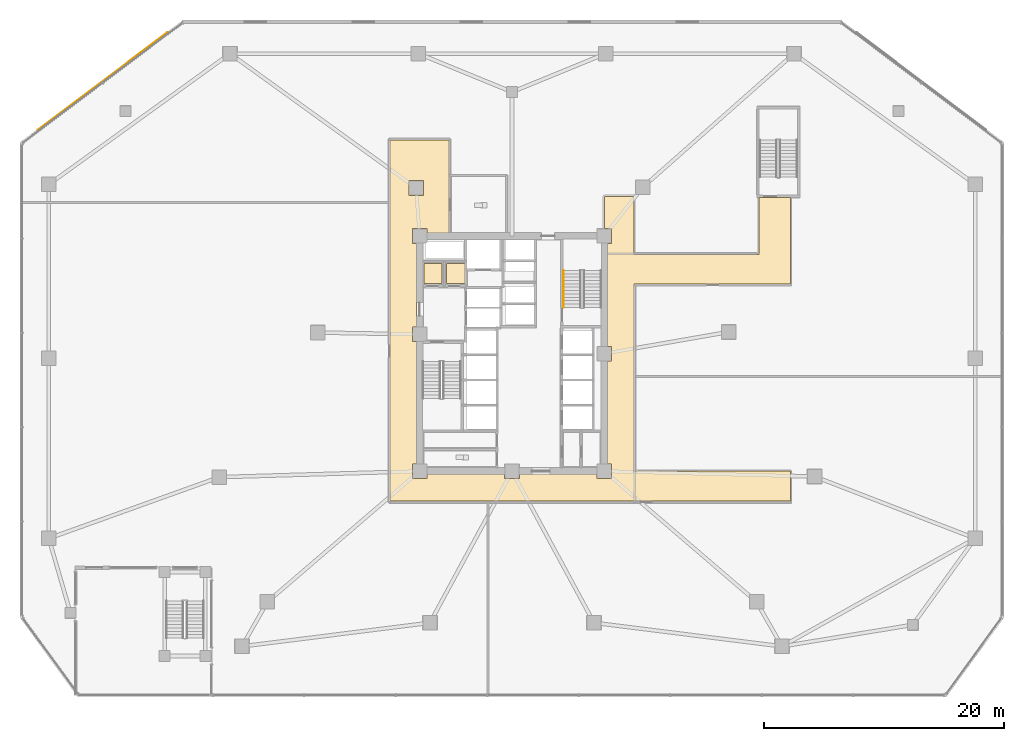
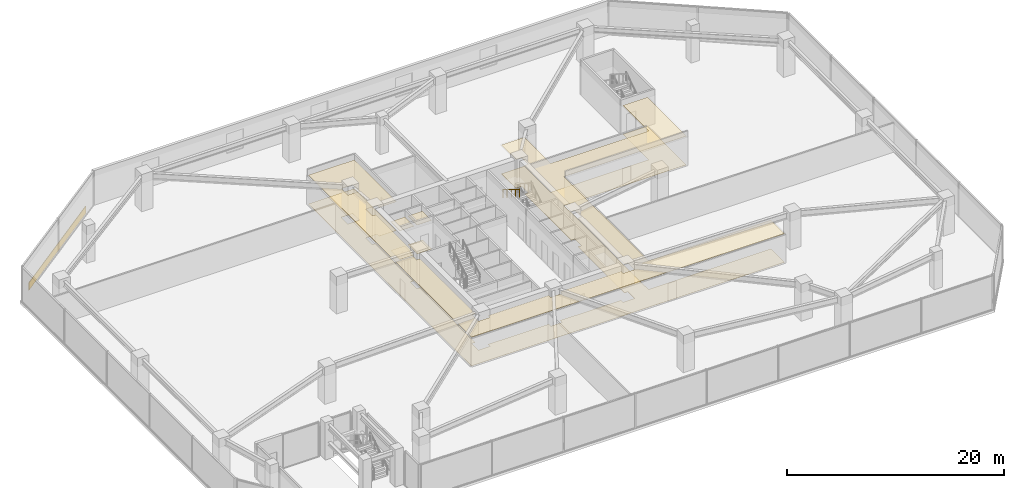
# One storey, part 17 of 21: 7 coverings, 1 railing.
"""IFC4 building model written with IfcOpenShell, lengths in metres."""

from ifc_helpers import new_model, si_unit, direction, frame, origin, origin_2d, place, context, subcontext, project, spatial, polyline, rectangle, circle, outline, extrude, material, layer, layer_set, type_object, element, save


model = new_model("IFC4")

# Units and contexts
model_context = context("Model", 3, precision=1e-05, world=origin(), true_north=direction((0.0, 1.0)))
body_context = subcontext(model_context, "Body", "Model", "MODEL_VIEW")
ifc_project = project(units=[si_unit("LENGTHUNIT", "METRE"), si_unit("AREAUNIT", "SQUARE_METRE"), si_unit("VOLUMEUNIT", "CUBIC_METRE"), si_unit("PLANEANGLEUNIT", "RADIAN"), si_unit("MASSUNIT", "GRAM", prefix="KILO")], contexts=[model_context])

# Site, building, storey
site_placement = place(None, origin())
site = spatial("IfcSite", under=ifc_project, at=site_placement, CompositionType="ELEMENT")
building_placement = place(site_placement, origin())
building = spatial("IfcBuilding", under=site, at=building_placement, Name="Savorim Split Tower", CompositionType="ELEMENT")
storey_placement = place(building_placement, frame((0.0, 0.0, 5.0)))
storey = spatial("IfcBuildingStorey", under=building, at=storey_placement, Name="L01", CompositionType="ELEMENT", Elevation=5.0)

# Coverings
ifc_material_1 = material(Name="Mineral Fibre Acoustic Ceiling")
ifc_layer_1 = layer(ifc_material_1, 0.02490234375)
ifc_layer_set_1 = layer_set([ifc_layer_1], Name="COV-CEIL-25")
covering_type_1 = type_object("IfcCoveringType", Name="COV-CEIL-25", PredefinedType="CEILING", material=ifc_layer_set_1)
covering_1_placement = place(storey_placement, frame((0.0, 0.0, 3.239990234375)))
element("IfcCovering", 1, at=covering_1_placement, inside=storey, type_object=covering_type_1, Name="L01 Electrical Riser Acoustic Ceiling", PredefinedType="CEILING", context=body_context, shape_type="SweptSolid", body=[
    extrude(outline(polyline([(-7.320068359375, 7.919921875), (-7.320068359375, 6.22998046875), (-5.830078125, 6.22998046875), (-5.830078125, 7.919921875), (-7.320068359375, 7.919921875)])), origin(), (0.0, 0.0, 1.0), 0.02490234375),
])
covering_2_placement = place(storey_placement, frame((0.0, 0.0, 3.239990234375)))
element("IfcCovering", 2, at=covering_2_placement, inside=storey, type_object=covering_type_1, Name="L01 Telecom Riser Acoustic Ceiling", PredefinedType="CEILING", context=body_context, shape_type="SweptSolid", body=[
    extrude(outline(polyline([(-5.469970703125, 7.919921875), (-5.469970703125, 6.22998046875), (-3.929931640625, 6.22998046875), (-3.929931640625, 7.919921875), (-5.469970703125, 7.919921875)])), origin(), (0.0, 0.0, 1.0), 0.02490234375),
])
covering_3_placement = place(storey_placement, frame((0.0, 0.0, 3.239990234375)))
element("IfcCovering", 3, at=covering_3_placement, inside=storey, type_object=covering_type_1, Name="L01 Corridor Acoustic Ceiling", PredefinedType="CEILING", context=body_context, shape_type="SweptSolid", body=[
    extrude(outline(polyline([(-7.699951171875, 18.199951171875), (-10.14990234375, 18.199951171875), (-10.14990234375, -9.39990234375), (-10.14990234375, -11.89990234375), (-7.699951171875, -11.89990234375), (7.699951171875, -11.89990234375), (10.14990234375, -11.89990234375), (23.199951171875, -11.89990234375), (23.199951171875, -9.39990234375), (10.14990234375, -9.39990234375), (10.14990234375, 6.199951171875), (23.199951171875, 6.199951171875), (23.199951171875, 8.64990234375), (23.199951171875, 13.39990234375), (20.60009765625, 13.39990234375), (20.60009765625, 8.64990234375), (10.14990234375, 8.64990234375), (10.14990234375, 13.5), (7.699951171875, 13.5), (7.699951171875, 10.81005859375), (8.31005859375, 10.81005859375), (8.31005859375, 9.590087890625), (7.949951171875, 9.590087890625), (7.949951171875, 1.010009765625), (8.31005859375, 1.010009765625), (8.31005859375, -0.2099609375), (7.949951171875, -0.2099609375), (7.949951171875, -8.7900390625), (8.31005859375, -8.7900390625), (8.31005859375, -10.010009765625), (7.090087890625, -10.010009765625), (7.090087890625, -9.64990234375), (0.610107421875, -9.64990234375), (0.610107421875, -10.010009765625), (-0.610107421875, -10.010009765625), (-0.610107421875, -9.64990234375), (-7.090087890625, -9.64990234375), (-7.090087890625, -10.010009765625), (-8.31005859375, -10.010009765625), (-8.31005859375, -8.7900390625), (-7.949951171875, -8.7900390625), (-7.949951171875, 1.389892578125), (-8.31005859375, 1.389892578125), (-8.31005859375, 2.610107421875), (-7.949951171875, 2.610107421875), (-7.949951171875, 9.590087890625), (-8.31005859375, 9.590087890625), (-8.31005859375, 10.81005859375), (-7.090087890625, 10.81005859375), (-7.090087890625, 10.449951171875), (-5.25, 10.449951171875), (-5.25, 18.199951171875), (-7.699951171875, 18.199951171875)]), holes=[polyline([(-8.6025390625, 13.591796875), (-7.382568359375, 13.591796875), (-7.382568359375, 14.811767578125), (-8.6025390625, 14.811767578125), (-8.6025390625, 13.591796875)])]), origin(), (0.0, 0.0, 1.0), 0.02490234375),
])
ifc_material_2 = material(Name="Terracotta Ceramic-Coated Aluminium Fin", Category="masonry")
ifc_layer_2 = layer(ifc_material_2, 0.050048828125)
ifc_layer_set_2 = layer_set([ifc_layer_2], Name="COV-CLAD-TERRA")
covering_type_2 = type_object("IfcCoveringType", Name="COV-CLAD-TERRA", PredefinedType="CLADDING", material=ifc_layer_set_2)
covering_4_placement = place(storey_placement, frame((-34.10009765625, 23.10009765625, 0.02490234375), z_axis=(0.0, 0.0, 1.0), x_axis=(0.798635510047, 0.601815023152, 0.0)))
element("IfcCovering", 4, at=covering_4_placement, inside=storey, type_object=covering_type_2, Name="L01 NW Podium Spandrel Cladding", PredefinedType="CLADDING", context=body_context, shape_type="SweptSolid", body=[
    extrude(rectangle(XDim=13.5, YDim=0.050048828125, at=origin_2d()), origin(), (0.0, 0.0, 1.0), 0.85009765625),
])
ifc_material_3 = material(Name="Porcelain Stoneware Flooring", Category="masonry")
ifc_layer_3 = layer(ifc_material_3, 0.02001953125)
ifc_layer_set_3 = layer_set([ifc_layer_3], Name="COV-FLOR-20")
covering_type_3 = type_object("IfcCoveringType", Name="COV-FLOR-20", PredefinedType="FLOORING", material=ifc_layer_set_3)
covering_5_placement = place(storey_placement, origin())
element("IfcCovering", 5, at=covering_5_placement, inside=storey, type_object=covering_type_3, Name="L01 Electrical Riser Porcelain Flooring", PredefinedType="FLOORING", context=body_context, shape_type="SweptSolid", body=[
    extrude(outline(polyline([(-7.320068359375, 7.919921875), (-7.320068359375, 6.22998046875), (-5.830078125, 6.22998046875), (-5.830078125, 7.919921875), (-7.320068359375, 7.919921875)])), origin(), (0.0, 0.0, 1.0), 0.02001953125),
])
covering_6_placement = place(storey_placement, origin())
element("IfcCovering", 6, at=covering_6_placement, inside=storey, type_object=covering_type_3, Name="L01 Telecom Riser Porcelain Flooring", PredefinedType="FLOORING", context=body_context, shape_type="SweptSolid", body=[
    extrude(outline(polyline([(-5.469970703125, 7.919921875), (-5.469970703125, 6.22998046875), (-3.929931640625, 6.22998046875), (-3.929931640625, 7.919921875), (-5.469970703125, 7.919921875)])), origin(), (0.0, 0.0, 1.0), 0.02001953125),
])
covering_7_placement = place(storey_placement, origin())
element("IfcCovering", 7, at=covering_7_placement, inside=storey, type_object=covering_type_3, Name="L01 Corridor Porcelain Flooring", PredefinedType="FLOORING", context=body_context, shape_type="SweptSolid", body=[
    extrude(outline(polyline([(-7.699951171875, 18.199951171875), (-10.14990234375, 18.199951171875), (-10.14990234375, -9.39990234375), (-10.14990234375, -11.89990234375), (-7.699951171875, -11.89990234375), (7.699951171875, -11.89990234375), (10.14990234375, -11.89990234375), (23.199951171875, -11.89990234375), (23.199951171875, -9.39990234375), (10.14990234375, -9.39990234375), (10.14990234375, 6.199951171875), (23.199951171875, 6.199951171875), (23.199951171875, 8.64990234375), (23.199951171875, 13.39990234375), (20.60009765625, 13.39990234375), (20.60009765625, 8.64990234375), (10.14990234375, 8.64990234375), (10.14990234375, 13.5), (7.699951171875, 13.5), (7.699951171875, 10.81005859375), (8.31005859375, 10.81005859375), (8.31005859375, 9.590087890625), (7.949951171875, 9.590087890625), (7.949951171875, 1.010009765625), (8.31005859375, 1.010009765625), (8.31005859375, -0.2099609375), (7.949951171875, -0.2099609375), (7.949951171875, -8.7900390625), (8.31005859375, -8.7900390625), (8.31005859375, -10.010009765625), (7.090087890625, -10.010009765625), (7.090087890625, -9.64990234375), (0.610107421875, -9.64990234375), (0.610107421875, -10.010009765625), (-0.610107421875, -10.010009765625), (-0.610107421875, -9.64990234375), (-7.090087890625, -9.64990234375), (-7.090087890625, -10.010009765625), (-8.31005859375, -10.010009765625), (-8.31005859375, -8.7900390625), (-7.949951171875, -8.7900390625), (-7.949951171875, 1.389892578125), (-8.31005859375, 1.389892578125), (-8.31005859375, 2.610107421875), (-7.949951171875, 2.610107421875), (-7.949951171875, 9.590087890625), (-8.31005859375, 9.590087890625), (-8.31005859375, 10.81005859375), (-7.090087890625, 10.81005859375), (-7.090087890625, 10.449951171875), (-5.25, 10.449951171875), (-5.25, 18.199951171875), (-7.699951171875, 18.199951171875)]), holes=[polyline([(-8.6025390625, 13.591796875), (-7.382568359375, 13.591796875), (-7.382568359375, 14.811767578125), (-8.6025390625, 14.811767578125), (-8.6025390625, 13.591796875)])]), origin(), (0.0, 0.0, 1.0), 0.02001953125),
])

# Railing
ifc_material_4 = material(Name="Galvanised Painted Steel Balustrade", Category="steel")
railing_type = type_object("IfcRailingType", Name="RLG-HR-900", PredefinedType="HANDRAIL", material=ifc_material_4)
railing_placement = place(storey_placement, frame((4.300048828125, 7.330078125, 2.27490234375)))
element("IfcRailing", 8, at=railing_placement, inside=storey, type_object=railing_type, Name="L01 ST-2 stair handrail 2", PredefinedType="HANDRAIL", context=body_context, shape_type="SweptSolid", body=[
    extrude(circle(Radius=0.02392578125, at=origin_2d()), frame((0.0, 0.0, 0.8759765625), z_axis=(0.0, -0.847998304005, 0.529998940003), x_axis=(1.0, 0.0, 0.0)), (0.0, 0.0, 1.0), 3.632080078125),
    extrude(circle(Radius=0.02099609375, at=origin_2d()), origin(), (0.0, 0.0, 1.0), 0.851806640625),
    extrude(circle(Radius=0.02099609375, at=origin_2d()), frame((0.0, -0.77001953125, 0.481201171875)), (0.0, 0.0, 1.0), 0.851806640625),
    extrude(circle(Radius=0.02099609375, at=origin_2d()), frame((0.0, -1.5400390625, 0.96240234375)), (0.0, 0.0, 1.0), 0.851806640625),
    extrude(circle(Radius=0.02099609375, at=origin_2d()), frame((0.0, -2.31005859375, 1.44384765625)), (0.0, 0.0, 1.0), 0.851806640625),
    extrude(circle(Radius=0.02099609375, at=origin_2d()), frame((0.0, -3.080078125, 1.925048828125)), (0.0, 0.0, 1.0), 0.851806640625),
])

save(model, "model.ifc")
